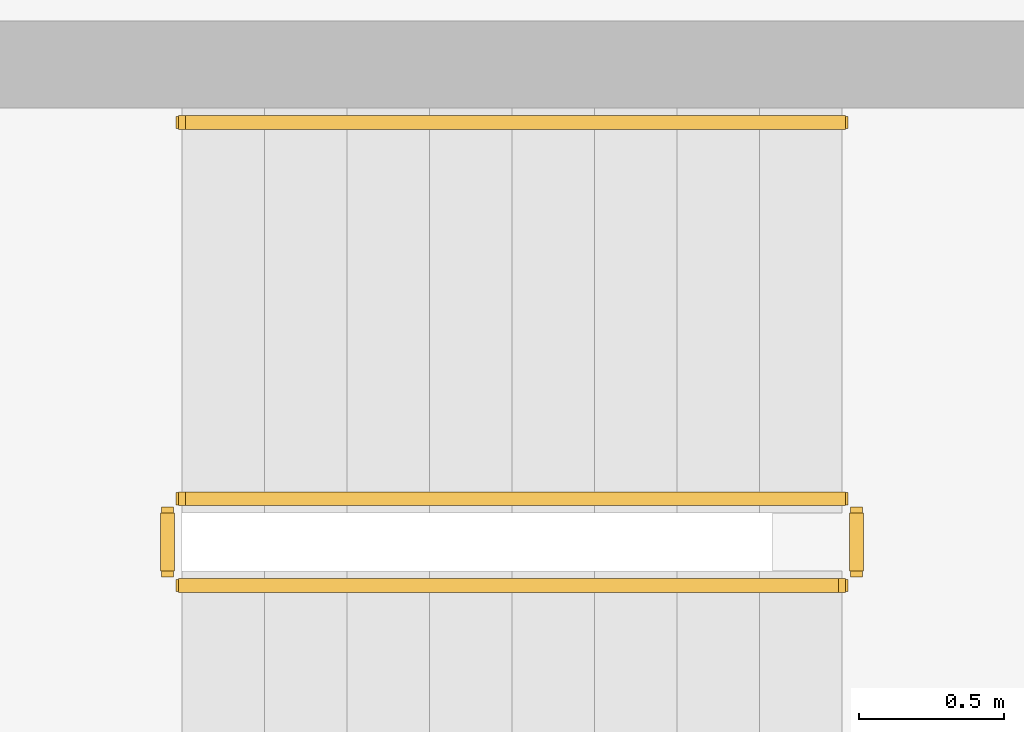
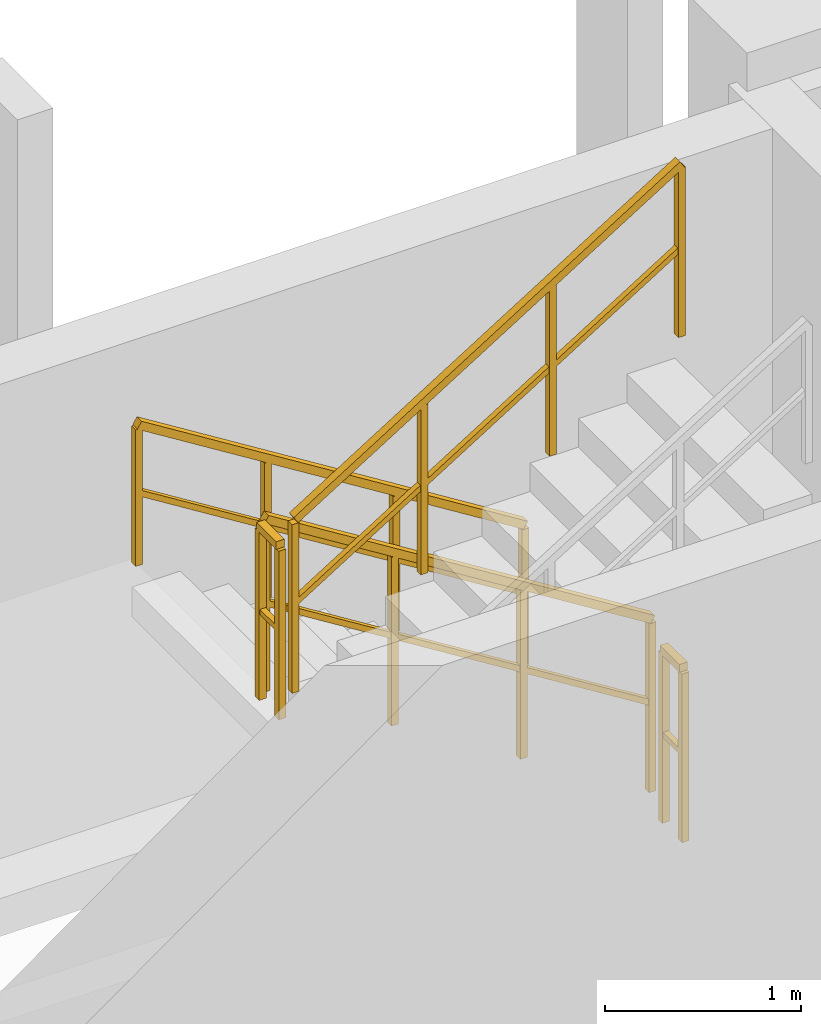
# One storey, part 151 of 157: 5 railings.
"""IFC4 building model written with IfcOpenShell, lengths in metres."""

from ifc_helpers import new_model, si_unit, direction, frame, origin, origin_2d, place, context, subcontext, project, spatial, rectangle, extrude, material, type_object, element, save


model = new_model("IFC4")

# Units and contexts
model_context = context("Model", 3, precision=1e-05, world=origin(), true_north=direction((0.0, 1.0)))
body_context = subcontext(model_context, "Body", "Model", "MODEL_VIEW")
ifc_project = project(units=[si_unit("LENGTHUNIT", "METRE"), si_unit("AREAUNIT", "SQUARE_METRE"), si_unit("VOLUMEUNIT", "CUBIC_METRE"), si_unit("PLANEANGLEUNIT", "RADIAN"), si_unit("MASSUNIT", "GRAM", prefix="KILO")], contexts=[model_context])

# Site, building, storey
site_placement = place(None, origin())
site = spatial("IfcSite", under=ifc_project, at=site_placement, CompositionType="ELEMENT")
building_placement = place(site_placement, origin())
building = spatial("IfcBuilding", under=site, at=building_placement, Name="Suanplinth Sawtooth Commons", CompositionType="ELEMENT")
storey_placement = place(building_placement, frame((0.0, 0.0, 9.0)))
storey = spatial("IfcBuildingStorey", under=building, at=storey_placement, Name="L02", CompositionType="ELEMENT", Elevation=9.0)

# Railings
ifc_material = material(Name="Stainless steel Grade 304", Category="steel")
railing_type_1 = type_object("IfcRailingType", Name="GR-04", PredefinedType="GUARDRAIL", material=ifc_material)
railing_1_placement = place(storey_placement, frame((142.14990234375, 12.39990234375, 0.177734375)))
element("IfcRailing", 1, at=railing_1_placement, inside=storey, type_object=railing_type_1, Name="L02 ST-S1 Guard 1", PredefinedType="GUARDRAIL", context=body_context, shape_type="SweptSolid", body=[
    extrude(rectangle(XDim=0.048095703125, YDim=0.048095703125, at=origin_2d()), frame((0.0, 0.0, 1.076171875), z_axis=(-0.848416591296, 0.0, 0.529329091978), x_axis=(0.0, -1.0, 0.0)), (0.0, 0.0, 1.0), 2.68701171875),
    extrude(rectangle(XDim=0.03369140625, YDim=0.03369140625, at=origin_2d()), frame((0.0, 0.0, 0.550048828125), z_axis=(-0.848416591296, 0.0, 0.529329091978), x_axis=(0.0, -1.0, 0.0)), (0.0, 0.0, 1.0), 2.68701171875),
    extrude(rectangle(XDim=0.0419921875, YDim=0.0419921875, at=origin_2d()), origin(), (0.0, 0.0, 1.0), 1.052001953125),
    extrude(rectangle(XDim=0.0419921875, YDim=0.0419921875, at=origin_2d()), frame((-0.760009765625, 0.0, 0.47412109375)), (0.0, 0.0, 1.0), 1.052001953125),
    extrude(rectangle(XDim=0.0419921875, YDim=0.0419921875, at=origin_2d()), frame((-1.519775390625, 0.0, 0.9482421875)), (0.0, 0.0, 1.0), 1.052001953125),
    extrude(rectangle(XDim=0.0419921875, YDim=0.0419921875, at=origin_2d()), frame((-2.27978515625, 0.0, 1.42236328125)), (0.0, 0.0, 1.0), 1.052001953125),
])
railing_2_placement = place(storey_placement, frame((139.820068359375, 12.35009765625, 1.60009765625)))
element("IfcRailing", 2, at=railing_2_placement, inside=storey, type_object=railing_type_1, Name="L02 ST-S1 Guard 2", PredefinedType="GUARDRAIL", context=body_context, shape_type="SweptSolid", body=[
    extrude(rectangle(XDim=0.048095703125, YDim=0.048095703125, at=origin_2d()), frame((0.0, 0.0, 1.076171875), z_axis=(0.0, -1.0, 0.0), x_axis=(1.0, 0.0, 0.0)), (0.0, 0.0, 1.0), 0.2001953125),
    extrude(rectangle(XDim=0.03369140625, YDim=0.03369140625, at=origin_2d()), frame((0.0, 0.0, 0.550048828125), z_axis=(0.0, -1.0, 0.0), x_axis=(1.0, 0.0, 0.0)), (0.0, 0.0, 1.0), 0.2001953125),
    extrude(rectangle(XDim=0.0419921875, YDim=0.0419921875, at=origin_2d()), origin(), (0.0, 0.0, 1.0), 1.052001953125),
    extrude(rectangle(XDim=0.0419921875, YDim=0.0419921875, at=origin_2d()), frame((0.0, -0.2001953125, 0.0)), (0.0, 0.0, 1.0), 1.052001953125),
])
railing_3_placement = place(storey_placement, frame((139.8701171875, 12.10009765625, 1.77783203125)))
element("IfcRailing", 3, at=railing_3_placement, inside=storey, type_object=railing_type_1, Name="L02 ST-S1 Guard 3", PredefinedType="GUARDRAIL", context=body_context, shape_type="SweptSolid", body=[
    extrude(rectangle(XDim=0.048095703125, YDim=0.048095703125, at=origin_2d()), frame((0.0, 0.0, 1.076171875), z_axis=(0.848457393559, 0.0, 0.529263687886), x_axis=(0.0, 1.0, 0.0)), (0.0, 0.0, 1.0), 2.68701171875),
    extrude(rectangle(XDim=0.03369140625, YDim=0.03369140625, at=origin_2d()), frame((0.0, 0.0, 0.550048828125), z_axis=(0.848457393559, 0.0, 0.529263687886), x_axis=(0.0, 1.0, 0.0)), (0.0, 0.0, 1.0), 2.68701171875),
    extrude(rectangle(XDim=0.0419921875, YDim=0.0419921875, at=origin_2d()), origin(), (0.0, 0.0, 1.0), 1.052001953125),
    extrude(rectangle(XDim=0.0419921875, YDim=0.0419921875, at=origin_2d()), frame((0.760009765625, 0.0, 0.47412109375)), (0.0, 0.0, 1.0), 1.052001953125),
    extrude(rectangle(XDim=0.0419921875, YDim=0.0419921875, at=origin_2d()), frame((1.519775390625, 0.0, 0.947998046875)), (0.0, 0.0, 1.0), 1.052001953125),
    extrude(rectangle(XDim=0.0419921875, YDim=0.0419921875, at=origin_2d()), frame((2.27978515625, 0.0, 1.422119140625)), (0.0, 0.0, 1.0), 1.052001953125),
])
railing_4_placement = place(storey_placement, frame((142.199951171875, 12.35009765625, 0.0)))
element("IfcRailing", 4, at=railing_4_placement, inside=storey, type_object=railing_type_1, Name="L02 ST-S1 Guard 4", PredefinedType="GUARDRAIL", context=body_context, shape_type="SweptSolid", body=[
    extrude(rectangle(XDim=0.048095703125, YDim=0.048095703125, at=origin_2d()), frame((0.0, 0.0, 1.076171875), z_axis=(0.0, -1.0, 0.0), x_axis=(1.0, 0.0, 0.0)), (0.0, 0.0, 1.0), 0.2001953125),
    extrude(rectangle(XDim=0.03369140625, YDim=0.03369140625, at=origin_2d()), frame((0.0, 0.0, 0.550048828125), z_axis=(0.0, -1.0, 0.0), x_axis=(1.0, 0.0, 0.0)), (0.0, 0.0, 1.0), 0.2001953125),
    extrude(rectangle(XDim=0.0419921875, YDim=0.0419921875, at=origin_2d()), origin(), (0.0, 0.0, 1.0), 1.052001953125),
    extrude(rectangle(XDim=0.0419921875, YDim=0.0419921875, at=origin_2d()), frame((0.0, -0.2001953125, 0.0)), (0.0, 0.0, 1.0), 1.052001953125),
])
railing_type_2 = type_object("IfcRailingType", Name="HR-01", PredefinedType="HANDRAIL", material=ifc_material)
railing_5_placement = place(storey_placement, frame((142.14990234375, 13.699951171875, 0.177734375)))
element("IfcRailing", 5, at=railing_5_placement, inside=storey, type_object=railing_type_2, Name="L02 ST-S1 Handrail 1", PredefinedType="HANDRAIL", context=body_context, shape_type="SweptSolid", body=[
    extrude(rectangle(XDim=0.048095703125, YDim=0.048095703125, at=origin_2d()), frame((0.0, 0.0, 0.8759765625), z_axis=(-0.848416591296, 0.0, 0.529329091978), x_axis=(0.0, -1.0, 0.0)), (0.0, 0.0, 1.0), 2.68701171875),
    extrude(rectangle(XDim=0.03369140625, YDim=0.03369140625, at=origin_2d()), frame((0.0, 0.0, 0.449951171875), z_axis=(-0.848416591296, 0.0, 0.529329091978), x_axis=(0.0, -1.0, 0.0)), (0.0, 0.0, 1.0), 2.68701171875),
    extrude(rectangle(XDim=0.0419921875, YDim=0.0419921875, at=origin_2d()), origin(), (0.0, 0.0, 1.0), 0.851806640625),
    extrude(rectangle(XDim=0.0419921875, YDim=0.0419921875, at=origin_2d()), frame((-0.760009765625, 0.0, 0.47412109375)), (0.0, 0.0, 1.0), 0.851806640625),
    extrude(rectangle(XDim=0.0419921875, YDim=0.0419921875, at=origin_2d()), frame((-1.519775390625, 0.0, 0.9482421875)), (0.0, 0.0, 1.0), 0.851806640625),
    extrude(rectangle(XDim=0.0419921875, YDim=0.0419921875, at=origin_2d()), frame((-2.27978515625, 0.0, 1.42236328125)), (0.0, 0.0, 1.0), 0.851806640625),
])

save(model, "model.ifc")
